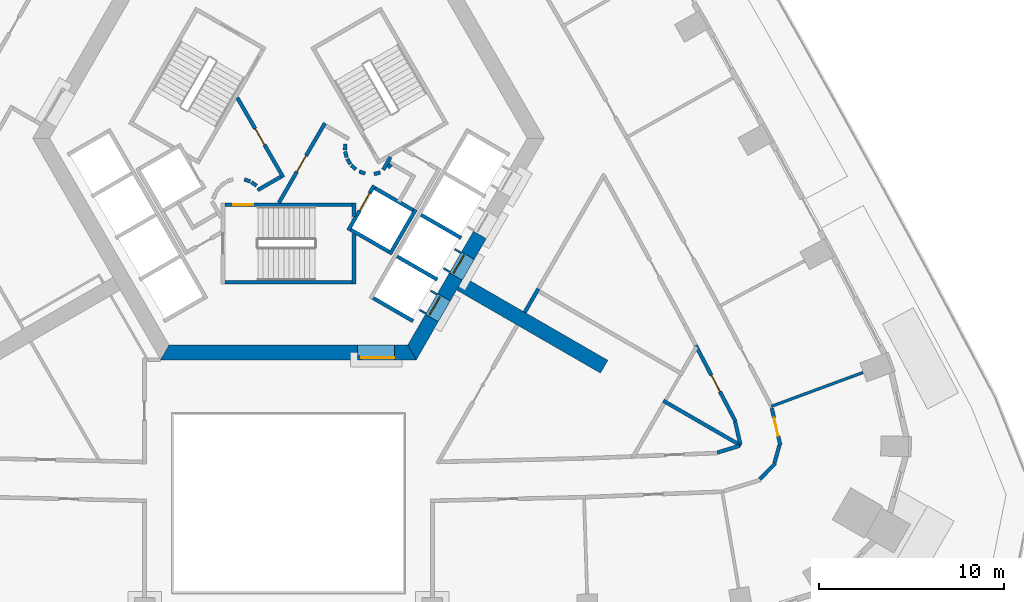
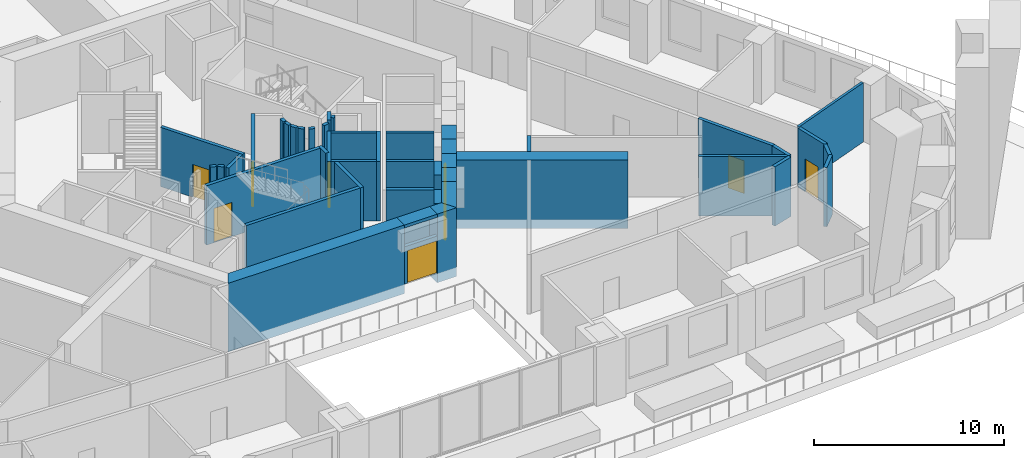
# One storey, part 7 of 16: 45 walls, 9 doors, 9 openings.
"""IFC4 building model written with IfcOpenShell, lengths in metres."""

from ifc_helpers import new_model, si_unit, direction, frame, frame_2d, origin, place, context, subcontext, project, spatial, polyline, rectangle, outline, extrude, material, layer, layer_set, type_object, element, fill, save


model = new_model("IFC4")

# Units and contexts
model_context = context("Model", 3, precision=1e-05, world=origin(), true_north=direction((0.0, 1.0)))
body_context = subcontext(model_context, "Body", "Model", "MODEL_VIEW")
ifc_project = project(units=[si_unit("LENGTHUNIT", "METRE"), si_unit("AREAUNIT", "SQUARE_METRE"), si_unit("VOLUMEUNIT", "CUBIC_METRE"), si_unit("PLANEANGLEUNIT", "RADIAN"), si_unit("MASSUNIT", "GRAM", prefix="KILO")], contexts=[model_context])

# Site, building, storey
site_placement = place(None, origin())
site = spatial("IfcSite", under=ifc_project, at=site_placement, CompositionType="ELEMENT")
building_placement = place(site_placement, origin())
building = spatial("IfcBuilding", under=site, at=building_placement, Name="Entoto Arch Interchange Tower", CompositionType="ELEMENT")
storey_placement = place(building_placement, frame((0.0, 0.0, 138.199951171875)))
storey = spatial("IfcBuildingStorey", under=building, at=storey_placement, Name="L30", CompositionType="ELEMENT", Elevation=138.199951171875)

# Wall
ifc_material_1 = material(Name="Concrete C50/60", Category="concrete")
ifc_layer_1 = layer(ifc_material_1, 0.800048828125)
ifc_layer_set_1 = layer_set([ifc_layer_1], Name="Concrete C50/60")
wall_type_1 = type_object("IfcWallType", Name="Buttress wall 800 C50/60", PredefinedType="SHEAR", material=ifc_layer_set_1)
wall_1_placement = place(storey_placement, frame((9.31005859375, -5.375, -0.599853515625), z_axis=(0.0, 0.0, 1.0), x_axis=(0.866017533419, -0.500013631625, 0.0)))
element("IfcWall", 1, at=wall_1_placement, inside=storey, type_object=wall_type_1, Name="Buttress wall SE L30", PredefinedType="SHEAR", context=body_context, shape_type="SweptSolid", body=[
    extrude(rectangle(XDim=8.999755859375, YDim=0.800048828125, at=frame_2d((4.5, 0.0))), origin(), (0.0, 0.0, 1.0), 4.39990234375),
])

# Wall, opening, door
ifc_material_2 = material(Name="Reinforced concrete C40/50", Category="concrete")
ifc_layer_2 = layer(ifc_material_2, 0.199951171875)
ifc_layer_set_2 = layer_set([ifc_layer_2], Name="Reinforced concrete C40/50")
wall_type_2 = type_object("IfcWallType", Name="CORE GAP INFILL WALL", PredefinedType="PARTITIONING", material=ifc_layer_set_2)
wall_2_placement = place(storey_placement, frame((3.75, -9.39990234375, 0.0), z_axis=(0.0, 0.0, 1.0), x_axis=(1.0, 0.0, 0.0)))
wall_2 = element("IfcWall", 2, at=wall_2_placement, inside=storey, type_object=wall_type_2, Name="wall:L30:gap1", PredefinedType="PARTITIONING", context=body_context, shape_type="SweptSolid", body=[
    extrude(rectangle(XDim=2.0, YDim=0.199951171875, at=frame_2d((1.0, 0.0))), origin(), (0.0, 0.0, 1.0), 2.400146484375),
])
opening_1_placement = place(wall_2_placement, frame((0.18994140625, 0.0, 0.0)))
opening_1 = element("IfcOpeningElement", 3, at=opening_1_placement, cuts=wall_2, Name="Opening L30-D91", PredefinedType="OPENING", context=body_context, shape_type="SweptSolid", body=[
    extrude(rectangle(XDim=1.800048828125, YDim=2.10009765625, at=frame_2d((0.89990234375, 1.050048828125))), frame((0.0, 0.10986328125, 0.0), z_axis=(0.0, -1.0, 0.0), x_axis=(1.0, 0.0, 0.0)), (0.0, 0.0, 1.0), 0.219970703125),
])
ifc_material_3 = material(Name="Fire-rated Steel S235 door and frame", Category="steel")
door_type_1 = type_object("IfcDoorType", Name="DOOR FD-18 1800x2100", OperationType="DOUBLE_DOOR_SINGLE_SWING", PredefinedType="DOOR", material=ifc_material_3)
door_1_placement = place(opening_1_placement, origin())
door_1 = element("IfcDoor", 4, at=door_1_placement, inside=storey, type_object=door_type_1, Name="door:L30:gap1", OperationType="DOUBLE_DOOR_SINGLE_SWING", OverallHeight=2.10009765625, OverallWidth=1.800048828125, PredefinedType="DOOR", context=body_context, shape_type="SweptSolid", body=[
    extrude(rectangle(XDim=1.800048828125, YDim=2.10009765625, at=frame_2d((0.89990234375, 1.050048828125))), frame((0.0, 0.02490234375, 0.0), z_axis=(0.0, -1.0, 0.0), x_axis=(1.0, 0.0, 0.0)), (0.0, 0.0, 1.0), 0.050048828125),
])
fill(opening_1, door_1)

# Walls
ifc_layer_3 = layer(ifc_material_1, 0.800048828125)
ifc_layer_set_3 = layer_set([ifc_layer_3], Name="Concrete C50/60")
wall_type_3 = type_object("IfcWallType", Name="Core wall 800 C50/60", PredefinedType="SHEAR", material=ifc_layer_set_3)
wall_3_placement = place(storey_placement, frame((0.0, 0.0, -0.599853515625)))
element("IfcWall", 5, at=wall_3_placement, inside=storey, type_object=wall_type_3, Name="Core wall S L30", PredefinedType="SHEAR", context=body_context, shape_type="SweptSolid", body=[
    extrude(outline(polyline([(3.75, -9.5), (3.75, -8.699951171875), (-6.466064453125, -8.699951171875), (-6.927978515625, -9.5), (3.75, -9.5)])), origin(), (0.0, 0.0, 1.0), 4.39990234375),
])
wall_4_placement = place(storey_placement, frame((0.0, 0.0, -0.599853515625)))
element("IfcWall", 6, at=wall_4_placement, inside=storey, type_object=wall_type_3, Name="Core wall S L30", PredefinedType="SHEAR", context=body_context, shape_type="SweptSolid", body=[
    extrude(outline(polyline([(5.75, -8.699951171875), (5.75, -9.5), (6.927978515625, -9.5), (6.466064453125, -8.699951171875), (5.75, -8.699951171875)])), origin(), (0.0, 0.0, 1.0), 4.39990234375),
])
wall_5_placement = place(storey_placement, frame((0.0, 0.0, 3.60009765625)))
element("IfcWall", 7, at=wall_5_placement, inside=storey, type_object=wall_type_3, Name="Core wall lintel S L30", PredefinedType="SHEAR", context=body_context, shape_type="SweptSolid", body=[
    extrude(outline(polyline([(5.75, -9.5), (5.75, -8.699951171875), (3.75, -8.699951171875), (3.75, -9.5), (5.75, -9.5)])), origin(), (0.0, 0.0, 1.0), 0.199951171875),
])
wall_6_placement = place(storey_placement, frame((0.0, 0.0, -0.599853515625)))
element("IfcWall", 8, at=wall_6_placement, inside=storey, type_object=wall_type_3, Name="Core wall SE L30", PredefinedType="SHEAR", context=body_context, shape_type="SweptSolid", body=[
    extrude(outline(polyline([(8.116943359375, -7.43994140625), (7.424072265625, -7.0400390625), (6.466064453125, -8.699951171875), (6.927978515625, -9.5), (8.116943359375, -7.43994140625)])), origin(), (0.0, 0.0, 1.0), 4.39990234375),
])
wall_7_placement = place(storey_placement, frame((0.0, 0.0, -0.599853515625)))
element("IfcWall", 9, at=wall_7_placement, inside=storey, type_object=wall_type_3, Name="Core wall SE L30", PredefinedType="SHEAR", context=body_context, shape_type="SweptSolid", body=[
    extrude(outline(polyline([(9.4169921875, -5.18896484375), (8.72412109375, -4.7890625), (8.074951171875, -5.9140625), (8.76708984375, -6.31396484375), (9.4169921875, -5.18896484375)])), origin(), (0.0, 0.0, 1.0), 4.39990234375),
])
wall_8_placement = place(storey_placement, frame((0.0, 0.0, -0.599853515625)))
element("IfcWall", 10, at=wall_8_placement, inside=storey, type_object=wall_type_3, Name="Core wall SE L30", PredefinedType="SHEAR", context=body_context, shape_type="SweptSolid", body=[
    extrude(outline(polyline([(10.717041015625, -2.93701171875), (10.02490234375, -2.537109375), (9.3740234375, -3.6630859375), (10.06689453125, -4.06298828125), (10.717041015625, -2.93701171875)])), origin(), (0.0, 0.0, 1.0), 4.39990234375),
])
wall_9_placement = place(storey_placement, frame((0.0, 0.0, 3.60009765625)))
element("IfcWall", 11, at=wall_9_placement, inside=storey, type_object=wall_type_3, Name="Core wall lintel SE L30", PredefinedType="SHEAR", context=body_context, shape_type="SweptSolid", body=[
    extrude(outline(polyline([(8.76708984375, -6.31396484375), (8.074951171875, -5.9140625), (7.424072265625, -7.0400390625), (8.116943359375, -7.43994140625), (8.76708984375, -6.31396484375)])), origin(), (0.0, 0.0, 1.0), 0.199951171875),
])
wall_10_placement = place(storey_placement, frame((0.0, 0.0, 3.60009765625)))
element("IfcWall", 12, at=wall_10_placement, inside=storey, type_object=wall_type_3, Name="Core wall lintel SE L30", PredefinedType="SHEAR", context=body_context, shape_type="SweptSolid", body=[
    extrude(outline(polyline([(10.06689453125, -4.06298828125), (9.3740234375, -3.6630859375), (8.72412109375, -4.7890625), (9.4169921875, -5.18896484375), (10.06689453125, -4.06298828125)])), origin(), (0.0, 0.0, 1.0), 0.199951171875),
])

# Wall, opening, door
ifc_material_4 = material(Name="Concrete C40/50", Category="concrete")
ifc_layer_4 = layer(ifc_material_4, 1.199951171875)
ifc_layer_set_4 = layer_set([ifc_layer_4], Name="Concrete C40/50")
wall_type_4 = type_object("IfcWallType", Name="LIFT LANDING INFILL WALL", PredefinedType="STANDARD", material=ifc_layer_set_4)
wall_11_placement = place(storey_placement, frame((7.597900390625, -7.139892578125, 0.0), z_axis=(0.0, 0.0, 1.0), x_axis=(0.500362116554, 0.865816234728, 0.0)))
wall_11 = element("IfcWall", 13, at=wall_11_placement, inside=storey, type_object=wall_type_4, Name="Lift landing infill wall LR5 L30", PredefinedType="STANDARD", context=body_context, shape_type="SweptSolid", body=[
    extrude(rectangle(XDim=1.29931640625, YDim=1.199951171875, at=frame_2d((0.649658203125, 0.0))), origin(), (0.0, 0.0, 1.0), 2.400146484375),
])
opening_2_placement = place(wall_11_placement, frame((0.10009765625, 0.0, 0.0)))
opening_2 = element("IfcOpeningElement", 14, at=opening_2_placement, cuts=wall_11, Name="Opening LD-LR5-L30", PredefinedType="OPENING", context=body_context, shape_type="SweptSolid", body=[
    extrude(rectangle(XDim=1.10009765625, YDim=2.300048828125, at=frame_2d((0.550048828125, 1.14990234375))), frame((0.0, 0.60986328125, 0.0), z_axis=(0.0, -1.0, 0.0), x_axis=(1.0, 0.0, 0.0)), (0.0, 0.0, 1.0), 1.219970703125),
])
ifc_material_5 = material(Name="Stainless steel 1.4301 panels", Category="steel")
door_type_2 = type_object("IfcDoorType", Name="LIFT LANDING DOOR LD2 1100x2300", OperationType="SLIDING_TO_LEFT", PredefinedType="DOOR", material=ifc_material_5)
door_2_placement = place(opening_2_placement, origin())
door_2 = element("IfcDoor", 15, at=door_2_placement, inside=storey, type_object=door_type_2, Name="Lift landing door LR5 L30", OperationType="SLIDING_TO_LEFT", OverallHeight=2.300048828125, OverallWidth=1.10009765625, PredefinedType="DOOR", context=body_context, shape_type="SweptSolid", body=[
    extrude(rectangle(XDim=1.10009765625, YDim=2.300048828125, at=frame_2d((0.550048828125, 1.14990234375))), frame((0.0, 0.02490234375, 0.0), z_axis=(0.0, -1.0, 0.0), x_axis=(1.0, 0.0, 0.0)), (0.0, 0.0, 1.0), 0.050048828125),
])
fill(opening_2, door_2)

wall_12_placement = place(storey_placement, frame((8.89794921875, -4.888916015625, 0.0), z_axis=(0.0, 0.0, 1.0), x_axis=(0.500036693733, 0.866004217611, 0.0)))
wall_12 = element("IfcWall", 16, at=wall_12_placement, inside=storey, type_object=wall_type_4, Name="Lift landing infill wall LR6 L30", PredefinedType="STANDARD", context=body_context, shape_type="SweptSolid", body=[
    extrude(rectangle(XDim=1.30029296875, YDim=1.199951171875, at=frame_2d((0.650146484375, 0.0))), origin(), (0.0, 0.0, 1.0), 2.400146484375),
])
opening_3_placement = place(wall_12_placement, frame((0.10009765625, 0.0, 0.0)))
opening_3 = element("IfcOpeningElement", 17, at=opening_3_placement, cuts=wall_12, Name="Opening LD-LR6-L30", PredefinedType="OPENING", context=body_context, shape_type="SweptSolid", body=[
    extrude(rectangle(XDim=1.10009765625, YDim=2.300048828125, at=frame_2d((0.550048828125, 1.14990234375))), frame((0.0, 0.60986328125, 0.0), z_axis=(0.0, -1.0, 0.0), x_axis=(1.0, 0.0, 0.0)), (0.0, 0.0, 1.0), 1.219970703125),
])
door_3_placement = place(opening_3_placement, origin())
door_3 = element("IfcDoor", 18, at=door_3_placement, inside=storey, type_object=door_type_2, Name="Lift landing door LR6 L30", OperationType="SLIDING_TO_LEFT", OverallHeight=2.300048828125, OverallWidth=1.10009765625, PredefinedType="DOOR", context=body_context, shape_type="SweptSolid", body=[
    extrude(rectangle(XDim=1.10009765625, YDim=2.300048828125, at=frame_2d((0.550048828125, 1.14990234375))), frame((0.0, 0.02490234375, 0.0), z_axis=(0.0, -1.0, 0.0), x_axis=(1.0, 0.0, 0.0)), (0.0, 0.0, 1.0), 0.050048828125),
])
fill(opening_3, door_3)

ifc_layer_5 = layer(ifc_material_4, 0.199951171875)
ifc_layer_set_5 = layer_set([ifc_layer_5], Name="Concrete C40/50")
wall_type_5 = type_object("IfcWallType", Name="LIFT SHAFT WALL 200", PredefinedType="STANDARD", material=ifc_layer_set_5)
wall_13_placement = place(storey_placement, frame((3.239990234375, -2.488037109375, 0.0), z_axis=(0.0, 0.0, 1.0), x_axis=(0.49994636267, 0.866056369097, 0.0)))
wall_13 = element("IfcWall", 19, at=wall_13_placement, inside=storey, type_object=wall_type_5, Name="Shaft wall SE1 front", PredefinedType="STANDARD", context=body_context, shape_type="SweptSolid", body=[
    extrude(rectangle(XDim=2.800048828125, YDim=0.199951171875, at=frame_2d((1.39990234375, 0.0))), origin(), (0.0, 0.0, 1.0), 3.800048828125),
])
opening_4_placement = place(wall_13_placement, frame((1.22509765625, 0.0, 0.0)))
opening_4 = element("IfcOpeningElement", 20, at=opening_4_placement, cuts=wall_13, Name="Opening LD-FF1-L30", PredefinedType="OPENING", context=body_context, shape_type="SweptSolid", body=[
    extrude(rectangle(XDim=1.10009765625, YDim=2.10009765625, at=frame_2d((0.550048828125, 1.050048828125))), frame((0.0, 0.10986328125, 0.0), z_axis=(0.0, -1.0, 0.0), x_axis=(1.0, 0.0, 0.0)), (0.0, 0.0, 1.0), 0.219970703125),
])
door_type_3 = type_object("IfcDoorType", Name="LIFT LANDING DOOR LD1 1100x2100", OperationType="SLIDING_TO_LEFT", PredefinedType="DOOR", material=ifc_material_5)
door_4_placement = place(opening_4_placement, origin())
door_4 = element("IfcDoor", 21, at=door_4_placement, inside=storey, type_object=door_type_3, Name="Lift landing door FF1 L30", OperationType="SLIDING_TO_LEFT", OverallHeight=2.10009765625, OverallWidth=1.10009765625, PredefinedType="DOOR", context=body_context, shape_type="SweptSolid", body=[
    extrude(rectangle(XDim=1.10009765625, YDim=2.10009765625, at=frame_2d((0.550048828125, 1.050048828125))), frame((0.0, 0.02490234375, 0.0), z_axis=(0.0, -1.0, 0.0), x_axis=(1.0, 0.0, 0.0)), (0.0, 0.0, 1.0), 0.050048828125),
])
fill(opening_4, door_4)

# Walls
wall_14_placement = place(storey_placement, frame((5.491943359375, -3.7880859375, 0.0), z_axis=(0.0, 0.0, 1.0), x_axis=(0.500011755427, 0.866018616679, 0.0)))
element("IfcWall", 22, at=wall_14_placement, inside=storey, type_object=wall_type_5, Name="Shaft wall SE1 back", PredefinedType="STANDARD", context=body_context, shape_type="SweptSolid", body=[
    extrude(rectangle(XDim=2.80029296875, YDim=0.199951171875, at=frame_2d((1.400146484375, 0.0))), origin(), (0.0, 0.0, 1.0), 3.800048828125),
])
wall_15_placement = place(storey_placement, frame((3.376953125, -2.451904296875, 0.0), z_axis=(0.0, 0.0, 1.0), x_axis=(0.865955154139, -0.50012165622, 0.0)))
element("IfcWall", 23, at=wall_15_placement, inside=storey, type_object=wall_type_5, Name="Shaft wall SE1 cross 1", PredefinedType="STANDARD", context=body_context, shape_type="SweptSolid", body=[
    extrude(rectangle(XDim=2.39990234375, YDim=0.199951171875, at=frame_2d((1.199951171875, 0.0))), origin(), (0.0, 0.0, 1.0), 3.800048828125),
])
wall_16_placement = place(storey_placement, frame((4.677001953125, -0.199951171875, 0.0), z_axis=(0.0, 0.0, 1.0), x_axis=(0.865973769406, -0.500089422704, 0.0)))
element("IfcWall", 24, at=wall_16_placement, inside=storey, type_object=wall_type_5, Name="Shaft wall SE1 cross 2", PredefinedType="STANDARD", context=body_context, shape_type="SweptSolid", body=[
    extrude(rectangle(XDim=2.3994140625, YDim=0.199951171875, at=frame_2d((1.19970703125, 0.0))), origin(), (0.0, 0.0, 1.0), 3.800048828125),
])
for number, where, z_axis, x_axis, name in (
    (25, (4.587890625, -6.153076171875, 0.0), (0.0, 0.0, 1.0), (0.866022959057, -0.500004234368, 0.0), "Shaft wall SE3 cross 1"),
    (26, (5.887939453125, -3.902099609375, 0.0), (0.0, 0.0, 1.0), (0.866022959057, -0.500004234368, 0.0), "Shaft wall SE3 cross 2"),
    (27, (7.18798828125, -1.64990234375, 0.0), (0.0, 0.0, 1.0), (0.866022959057, -0.500004234368, 0.0), "Shaft wall SE3 cross 3"),
):
    element("IfcWall", number, at=place(storey_placement, frame(where, z_axis=z_axis, x_axis=x_axis)), inside=storey, type_object=wall_type_5, Name=name, PredefinedType="STANDARD", context=body_context, shape_type="SweptSolid", body=[
        extrude(rectangle(XDim=2.5, YDim=0.199951171875, at=frame_2d((1.25, 0.0))), origin(), (0.0, 0.0, 1.0), 3.800048828125),
    ])
ifc_material_6 = material(Name="Gypsum board partition on steel studs", Category="steel")
ifc_layer_6 = layer(ifc_material_6, 0.14990234375)
ifc_layer_set_6 = layer_set([ifc_layer_6], Name="Gypsum board partition on steel studs")
wall_type_6 = type_object("IfcWallType", Name="PARTITION 150", PredefinedType="PARTITIONING", material=ifc_layer_set_6)
wall_17_placement = place(storey_placement, frame((26.1640625, -12.02294921875, 0.0), z_axis=(0.0, 0.0, 1.0), x_axis=(0.937995804261, 0.346646608505, 0.0)))
element("IfcWall", 28, at=wall_17_placement, inside=storey, type_object=wall_type_6, Name="wall:L30:p125", PredefinedType="PARTITIONING", context=body_context, shape_type="SweptSolid", body=[
    extrude(rectangle(XDim=5.287841796875, YDim=0.14990234375, at=frame_2d((2.64404296875, 0.0))), origin(), (0.0, 0.0, 1.0), 3.800048828125),
])
ifc_layer_7 = layer(ifc_material_6, 0.199951171875)
ifc_layer_set_7 = layer_set([ifc_layer_7], Name="Gypsum board partition on steel studs")
wall_type_7 = type_object("IfcWallType", Name="PARTITION 200", PredefinedType="PARTITIONING", material=ifc_layer_set_7)
wall_18_placement = place(storey_placement, frame((23.238037109375, -14.529052734375, 0.0), z_axis=(0.0, 0.0, 1.0), x_axis=(0.956086269468, 0.293085389152, 0.0)))
element("IfcWall", 29, at=wall_18_placement, inside=storey, type_object=wall_type_7, Name="wall:L30:p019", PredefinedType="PARTITIONING", context=body_context, shape_type="SweptSolid", body=[
    extrude(rectangle(XDim=1.251953125, YDim=0.199951171875, at=frame_2d((0.6259765625, 0.0))), origin(), (0.0, 0.0, 1.0), 3.800048828125),
])
wall_19_placement = place(storey_placement, frame((24.48193359375, -14.0810546875, 0.0), z_axis=(0.0, 0.0, 1.0), x_axis=(-0.223967203961, 0.974596681479, 0.0)))
element("IfcWall", 30, at=wall_19_placement, inside=storey, type_object=wall_type_7, Name="wall:L30:p020", PredefinedType="PARTITIONING", context=body_context, shape_type="SweptSolid", body=[
    extrude(rectangle(XDim=1.259033203125, YDim=0.199951171875, at=frame_2d((0.62939453125, 0.0))), origin(), (0.0, 0.0, 1.0), 3.800048828125),
])

# Wall, opening, door
wall_20_placement = place(storey_placement, frame((24.22412109375, -12.844970703125, 0.0), z_axis=(0.0, 0.0, 1.0), x_axis=(-0.463819025987, 0.885929969655, 0.0)))
wall_20 = element("IfcWall", 31, at=wall_20_placement, inside=storey, type_object=wall_type_7, Name="wall:L30:p021", PredefinedType="PARTITIONING", context=body_context, shape_type="SweptSolid", body=[
    extrude(rectangle(XDim=4.659423828125, YDim=0.199951171875, at=frame_2d((2.32958984375, 0.0))), origin(), (0.0, 0.0, 1.0), 3.800048828125),
])
opening_5_placement = place(wall_20_placement, frame((1.830078125, 0.0, 0.0)))
opening_5 = element("IfcOpeningElement", 32, at=opening_5_placement, cuts=wall_20, Name="Opening L30-D22", PredefinedType="OPENING", context=body_context, shape_type="SweptSolid", body=[
    extrude(rectangle(XDim=1.0, YDim=2.10009765625, at=frame_2d((0.5, 1.050048828125))), frame((0.0, 0.10986328125, 0.0), z_axis=(0.0, -1.0, 0.0), x_axis=(1.0, 0.0, 0.0)), (0.0, 0.0, 1.0), 0.219970703125),
])
ifc_material_7 = material(Name="Timber door leaf in Steel S235 frame", Category="steel")
door_type_4 = type_object("IfcDoorType", Name="DOOR DS-10 1000x2100", OperationType="SINGLE_SWING_LEFT", PredefinedType="DOOR", material=ifc_material_7)
door_5_placement = place(opening_5_placement, origin())
door_5 = element("IfcDoor", 33, at=door_5_placement, inside=storey, type_object=door_type_4, Name="door:L30:22", OperationType="SINGLE_SWING_LEFT", OverallHeight=2.10009765625, OverallWidth=1.0, PredefinedType="DOOR", context=body_context, shape_type="SweptSolid", body=[
    extrude(rectangle(XDim=1.0, YDim=2.10009765625, at=frame_2d((0.5, 1.050048828125))), frame((0.0, 0.02490234375, 0.0), z_axis=(0.0, -1.0, 0.0), x_axis=(1.0, 0.0, 0.0)), (0.0, 0.0, 1.0), 0.050048828125),
])
fill(opening_5, door_5)

wall_21_placement = place(storey_placement, frame((26.18603515625, -12.1201171875, 0.0), z_axis=(0.0, 0.0, 1.0), x_axis=(0.224108401048, -0.974564222912, 0.0)))
wall_21 = element("IfcWall", 34, at=wall_21_placement, inside=storey, type_object=wall_type_7, Name="wall:L30:p034", PredefinedType="PARTITIONING", context=body_context, shape_type="SweptSolid", body=[
    extrude(rectangle(XDim=2.0654296875, YDim=0.199951171875, at=frame_2d((1.03271484375, 0.0))), origin(), (0.0, 0.0, 1.0), 3.800048828125),
])
opening_6_placement = place(wall_21_placement, frame((0.532958984375, 0.0, 0.0)))
opening_6 = element("IfcOpeningElement", 35, at=opening_6_placement, cuts=wall_21, Name="Opening L30-D03", PredefinedType="OPENING", context=body_context, shape_type="SweptSolid", body=[
    extrude(rectangle(XDim=1.0, YDim=2.10009765625, at=frame_2d((0.5, 1.050048828125))), frame((0.0, 0.10986328125, 0.0), z_axis=(0.0, -1.0, 0.0), x_axis=(1.0, 0.0, 0.0)), (0.0, 0.0, 1.0), 0.219970703125),
])
door_6_placement = place(opening_6_placement, origin())
door_6 = element("IfcDoor", 36, at=door_6_placement, inside=storey, type_object=door_type_4, Name="door:L30:03", OperationType="SINGLE_SWING_LEFT", OverallHeight=2.10009765625, OverallWidth=1.0, PredefinedType="DOOR", context=body_context, shape_type="SweptSolid", body=[
    extrude(rectangle(XDim=1.0, YDim=2.10009765625, at=frame_2d((0.5, 1.050048828125))), frame((0.0, 0.02490234375, 0.0), z_axis=(0.0, -1.0, 0.0), x_axis=(1.0, 0.0, 0.0)), (0.0, 0.0, 1.0), 0.050048828125),
])
fill(opening_6, door_6)

# Walls
wall_22_placement = place(storey_placement, frame((26.59912109375, -14.132080078125, 0.0), z_axis=(0.0, 0.0, 1.0), x_axis=(-0.270631784819, -0.962682936925, 0.0)))
element("IfcWall", 37, at=wall_22_placement, inside=storey, type_object=wall_type_7, Name="wall:L30:p035", PredefinedType="PARTITIONING", context=body_context, shape_type="SweptSolid", body=[
    extrude(rectangle(XDim=0.994140625, YDim=0.199951171875, at=frame_2d((0.4970703125, 0.0))), origin(), (0.0, 0.0, 1.0), 3.800048828125),
])
wall_23_placement = place(storey_placement, frame((26.373046875, -15.114013671875, 0.0), z_axis=(0.0, 0.0, 1.0), x_axis=(-0.698272822523, -0.715831729756, 0.0)))
element("IfcWall", 38, at=wall_23_placement, inside=storey, type_object=wall_type_7, Name="wall:L30:p036", PredefinedType="PARTITIONING", context=body_context, shape_type="SweptSolid", body=[
    extrude(rectangle(XDim=1.19580078125, YDim=0.199951171875, at=frame_2d((0.597900390625, 0.0))), origin(), (0.0, 0.0, 1.0), 3.800048828125),
])
wall_24_placement = place(storey_placement, frame((5.389892578125, 0.89794921875, 0.0), z_axis=(0.0, 0.0, 1.0), x_axis=(0.673828488714, 0.738887791073, 0.0)))
element("IfcWall", 39, at=wall_24_placement, inside=storey, type_object=wall_type_7, Name="wall:L30:p074", PredefinedType="PARTITIONING", context=body_context, shape_type="SweptSolid", body=[
    extrude(rectangle(XDim=0.2626953125, YDim=0.199951171875, at=frame_2d((0.13134765625, 0.0))), origin(), (0.0, 0.0, 1.0), 3.800048828125),
])
wall_25_placement = place(storey_placement, frame((5.135009765625, 0.79296875, 0.0), z_axis=(0.0, 0.0, 1.0), x_axis=(0.499526442893, 0.866298639529, 0.0)))
element("IfcWall", 40, at=wall_25_placement, inside=storey, type_object=wall_type_7, Name="wall:L30:p079", PredefinedType="PARTITIONING", context=body_context, shape_type="SweptSolid", body=[
    extrude(rectangle(XDim=0.790771484375, YDim=0.199951171875, at=frame_2d((0.3955078125, 0.0))), origin(), (0.0, 0.0, 1.0), 3.800048828125),
])

# Wall, opening, door
wall_26_placement = place(storey_placement, frame((-0.52001953125, -1.0, 0.0), z_axis=(0.0, 0.0, 1.0), x_axis=(0.50011622646, 0.865958290007, 0.0)))
wall_26 = element("IfcWall", 41, at=wall_26_placement, inside=storey, type_object=wall_type_7, Name="wall:L30:p087", PredefinedType="PARTITIONING", context=body_context, shape_type="SweptSolid", body=[
    extrude(rectangle(XDim=4.990966796875, YDim=0.199951171875, at=frame_2d((2.49560546875, 0.0))), origin(), (0.0, 0.0, 1.0), 3.800048828125),
])
opening_7_placement = place(wall_26_placement, frame((1.945068359375, 0.0, 0.0)))
opening_7 = element("IfcOpeningElement", 42, at=opening_7_placement, cuts=wall_26, Name="Opening L30-D31", PredefinedType="OPENING", context=body_context, shape_type="SweptSolid", body=[
    extrude(rectangle(XDim=1.0, YDim=2.10009765625, at=frame_2d((0.5, 1.050048828125))), frame((0.0, 0.10986328125, 0.0), z_axis=(0.0, -1.0, 0.0), x_axis=(1.0, 0.0, 0.0)), (0.0, 0.0, 1.0), 0.219970703125),
])
door_type_5 = type_object("IfcDoorType", Name="DOOR FD-10 1000x2100", OperationType="SINGLE_SWING_LEFT", PredefinedType="DOOR", material=ifc_material_3)
door_7_placement = place(opening_7_placement, origin())
door_7 = element("IfcDoor", 43, at=door_7_placement, inside=storey, type_object=door_type_5, Name="door:L30:31", OperationType="SINGLE_SWING_LEFT", OverallHeight=2.10009765625, OverallWidth=1.0, PredefinedType="DOOR", context=body_context, shape_type="SweptSolid", body=[
    extrude(rectangle(XDim=1.0, YDim=2.10009765625, at=frame_2d((0.5, 1.050048828125))), frame((0.0, 0.02490234375, 0.0), z_axis=(0.0, -1.0, 0.0), x_axis=(1.0, 0.0, 0.0)), (0.0, 0.0, 1.0), 0.050048828125),
])
fill(opening_7, door_7)

# Walls
wall_27_placement = place(storey_placement, frame((3.0791015625, 2.198974609375, 0.0), z_axis=(0.0, 0.0, 1.0), x_axis=(-0.047771483479, -0.998858290933, 0.0)))
element("IfcWall", 44, at=wall_27_placement, inside=storey, type_object=wall_type_7, Name="wall:L30:p089", PredefinedType="PARTITIONING", context=body_context, shape_type="SweptSolid", body=[
    extrude(rectangle(XDim=0.33740234375, YDim=0.199951171875, at=frame_2d((0.168701171875, 0.0))), origin(), (0.0, 0.0, 1.0), 3.800048828125),
])
wall_28_placement = place(storey_placement, frame((3.070068359375, 1.785888671875, 0.0), z_axis=(0.0, 0.0, 1.0), x_axis=(0.242705583207, -0.970099994784, 0.0)))
element("IfcWall", 45, at=wall_28_placement, inside=storey, type_object=wall_type_7, Name="wall:L30:p090", PredefinedType="PARTITIONING", context=body_context, shape_type="SweptSolid", body=[
    extrude(rectangle(XDim=0.337890625, YDim=0.199951171875, at=frame_2d((0.1689453125, 0.0))), origin(), (0.0, 0.0, 1.0), 3.800048828125),
])
for number, where, z_axis, x_axis, name in (
    (46, (3.181884765625, 1.387939453125, 0.0), (0.0, 0.0, 1.0), (0.512474702713, -0.85870232274, 0.0), "wall:L30:p091"),
    (47, (3.404052734375, 1.0390625, 0.0), (0.0, 0.0, 1.0), (0.740267097712, -0.672312891476, 0.0), "wall:L30:p092"),
):
    element("IfcWall", number, at=place(storey_placement, frame(where, z_axis=z_axis, x_axis=x_axis)), inside=storey, type_object=wall_type_7, Name=name, PredefinedType="PARTITIONING", context=body_context, shape_type="SweptSolid", body=[
        extrude(rectangle(XDim=0.337646484375, YDim=0.199951171875, at=frame_2d((0.1689453125, 0.0))), origin(), (0.0, 0.0, 1.0), 3.800048828125),
    ])
wall_29_placement = place(storey_placement, frame((3.837890625, 0.701904296875, 0.0), z_axis=(0.0, 0.0, 1.0), x_axis=(0.941035081519, -0.338308993895, 0.0)))
element("IfcWall", 48, at=wall_29_placement, inside=storey, type_object=wall_type_7, Name="wall:L30:p093", PredefinedType="PARTITIONING", context=body_context, shape_type="SweptSolid", body=[
    extrude(rectangle(XDim=0.3369140625, YDim=0.199951171875, at=frame_2d((0.16845703125, 0.0))), origin(), (0.0, 0.0, 1.0), 3.800048828125),
])
wall_30_placement = place(storey_placement, frame((4.64404296875, 0.56396484375, 0.0), z_axis=(0.0, 0.0, 1.0), x_axis=(0.969929076366, 0.243387729394, 0.0)))
element("IfcWall", 49, at=wall_30_placement, inside=storey, type_object=wall_type_7, Name="wall:L30:p094", PredefinedType="PARTITIONING", context=body_context, shape_type="SweptSolid", body=[
    extrude(rectangle(XDim=0.337158203125, YDim=0.199951171875, at=frame_2d((0.16845703125, 0.0))), origin(), (0.0, 0.0, 1.0), 3.800048828125),
])

# Wall, opening, door
wall_31_placement = place(storey_placement, frame((-2.77099609375, 4.699951171875, 0.0), z_axis=(0.0, 0.0, 1.0), x_axis=(0.499969479948, -0.866043023828, 0.0)))
wall_31 = element("IfcWall", 50, at=wall_31_placement, inside=storey, type_object=wall_type_7, Name="wall:L30:p095", PredefinedType="PARTITIONING", context=body_context, shape_type="SweptSolid", body=[
    extrude(rectangle(XDim=4.990478515625, YDim=0.199951171875, at=frame_2d((2.4951171875, 0.0))), origin(), (0.0, 0.0, 1.0), 3.800048828125),
])
opening_8_placement = place(wall_31_placement, frame((1.945068359375, 0.0, 0.0)))
opening_8 = element("IfcOpeningElement", 51, at=opening_8_placement, cuts=wall_31, Name="Opening L30-D32", PredefinedType="OPENING", context=body_context, shape_type="SweptSolid", body=[
    extrude(rectangle(XDim=1.0, YDim=2.10009765625, at=frame_2d((0.5, 1.050048828125))), frame((0.0, 0.10986328125, 0.0), z_axis=(0.0, -1.0, 0.0), x_axis=(1.0, 0.0, 0.0)), (0.0, 0.0, 1.0), 0.219970703125),
])
door_8_placement = place(opening_8_placement, origin())
door_8 = element("IfcDoor", 52, at=door_8_placement, inside=storey, type_object=door_type_5, Name="door:L30:32", OperationType="SINGLE_SWING_RIGHT", OverallHeight=2.10009765625, OverallWidth=1.0, PredefinedType="DOOR", context=body_context, shape_type="SweptSolid", body=[
    extrude(rectangle(XDim=1.0, YDim=2.10009765625, at=frame_2d((0.5, 1.050048828125))), frame((0.0, 0.02490234375, 0.0), z_axis=(0.0, -1.0, 0.0), x_axis=(1.0, 0.0, 0.0)), (0.0, 0.0, 1.0), 0.050048828125),
])
fill(opening_8, door_8)

# Walls
wall_32_placement = place(storey_placement, frame((-0.412109375, 0.4140625, 0.0), z_axis=(0.0, 0.0, 1.0), x_axis=(-0.866017369001, -0.500013916395, 0.0)))
element("IfcWall", 53, at=wall_32_placement, inside=storey, type_object=wall_type_7, Name="wall:L30:p096", PredefinedType="PARTITIONING", context=body_context, shape_type="SweptSolid", body=[
    extrude(rectangle(XDim=1.4501953125, YDim=0.199951171875, at=frame_2d((0.72509765625, 0.0))), origin(), (0.0, 0.0, 1.0), 3.800048828125),
])
wall_33_placement = place(storey_placement, frame((-1.73095703125, -0.076904296875, 0.0), z_axis=(0.0, 0.0, 1.0), x_axis=(-0.804311165252, 0.594208338422, 0.0)))
element("IfcWall", 54, at=wall_33_placement, inside=storey, type_object=wall_type_7, Name="wall:L30:p097", PredefinedType="PARTITIONING", context=body_context, shape_type="SweptSolid", body=[
    extrude(rectangle(XDim=0.338134765625, YDim=0.199951171875, at=frame_2d((0.1689453125, 0.0))), origin(), (0.0, 0.0, 1.0), 3.800048828125),
])
wall_34_placement = place(storey_placement, frame((-2.070068359375, 0.159912109375, 0.0), z_axis=(0.0, 0.0, 1.0), x_axis=(-0.942199461132, 0.335052496547, 0.0)))
element("IfcWall", 55, at=wall_34_placement, inside=storey, type_object=wall_type_7, Name="wall:L30:p098", PredefinedType="PARTITIONING", context=body_context, shape_type="SweptSolid", body=[
    extrude(rectangle(XDim=0.33740234375, YDim=0.199951171875, at=frame_2d((0.168701171875, 0.0))), origin(), (0.0, 0.0, 1.0), 3.800048828125),
])
wall_35_placement = place(storey_placement, frame((13.534912109375, -5.656982421875, 0.0), z_axis=(0.0, 0.0, 1.0), x_axis=(-0.499751238113, -0.866168978898, 0.0)))
element("IfcWall", 56, at=wall_35_placement, inside=storey, type_object=wall_type_7, Name="wall:L30:p107", PredefinedType="PARTITIONING", context=body_context, shape_type="SweptSolid", body=[
    extrude(rectangle(XDim=1.468505859375, YDim=0.199951171875, at=frame_2d((0.734375, 0.0))), origin(), (0.0, 0.0, 1.0), 3.800048828125),
])
wall_36_placement = place(storey_placement, frame((20.31005859375, -11.720947265625, 0.0), z_axis=(0.0, 0.0, 1.0), x_axis=(0.86603399059, -0.499985126921, 0.0)))
element("IfcWall", 57, at=wall_36_placement, inside=storey, type_object=wall_type_7, Name="wall:L30:p113", PredefinedType="PARTITIONING", context=body_context, shape_type="SweptSolid", body=[
    extrude(rectangle(XDim=4.854248046875, YDim=0.199951171875, at=frame_2d((2.42724609375, 0.0))), origin(), (0.0, 0.0, 1.0), 3.800048828125),
])
ifc_layer_8 = layer(ifc_material_4, 0.199951171875)
ifc_layer_set_8 = layer_set([ifc_layer_8], Name="Concrete C40/50")
wall_type_8 = type_object("IfcWallType", Name="STAIR ENCLOSURE WALL 200", PredefinedType="STANDARD", material=ifc_layer_set_8)
wall_37_placement = place(storey_placement, frame((3.550048828125, -2.6669921875, 0.0), z_axis=(0.0, 0.0, 1.0), x_axis=(0.0, -1.0, 0.0)))
element("IfcWall", 58, at=wall_37_placement, inside=storey, type_object=wall_type_8, Name="Stair wall ST-S far", PredefinedType="STANDARD", context=body_context, shape_type="SweptSolid", body=[
    extrude(rectangle(XDim=2.73291015625, YDim=0.199951171875, at=frame_2d((1.366455078125, 0.0))), origin(), (0.0, 0.0, 1.0), 3.800048828125),
])
wall_38_placement = place(storey_placement, frame((3.550048828125, -1.0, 0.0), z_axis=(0.0, 0.0, 1.0), x_axis=(0.0, -1.0, 0.0)))
element("IfcWall", 59, at=wall_38_placement, inside=storey, type_object=wall_type_8, Name="Stair wall ST-S far return", PredefinedType="STANDARD", context=body_context, shape_type="SweptSolid", body=[
    extrude(rectangle(XDim=0.7509765625, YDim=0.199951171875, at=frame_2d((0.37548828125, 0.0))), origin(), (0.0, 0.0, 1.0), 3.800048828125),
])

# Wall, opening, door
wall_39_placement = place(storey_placement, frame((-3.449951171875, -1.10009765625, 0.0), z_axis=(0.0, 0.0, 1.0), x_axis=(1.0, 0.0, 0.0)))
wall_39 = element("IfcWall", 60, at=wall_39_placement, inside=storey, type_object=wall_type_8, Name="Stair wall ST-S hall", PredefinedType="STANDARD", context=body_context, shape_type="SweptSolid", body=[
    extrude(rectangle(XDim=6.89990234375, YDim=0.199951171875, at=frame_2d((3.449951171875, 0.0))), origin(), (0.0, 0.0, 1.0), 3.800048828125),
])
opening_9_placement = place(wall_39_placement, frame((0.449951171875, 0.0, 0.0)))
opening_9 = element("IfcOpeningElement", 61, at=opening_9_placement, cuts=wall_39, Name="Opening SD-ST-S-L30", PredefinedType="OPENING", context=body_context, shape_type="SweptSolid", body=[
    extrude(rectangle(XDim=1.10009765625, YDim=2.199951171875, at=frame_2d((0.550048828125, 1.10009765625))), frame((0.0, 0.10986328125, 0.0), z_axis=(0.0, -1.0, 0.0), x_axis=(1.0, 0.0, 0.0)), (0.0, 0.0, 1.0), 0.219970703125),
])
ifc_material_8 = material(Name="Steel S235", Category="steel")
door_type_6 = type_object("IfcDoorType", Name="STAIR DOOR SD1 1100x2200", OperationType="SINGLE_SWING_LEFT", PredefinedType="DOOR", material=ifc_material_8)
door_9_placement = place(opening_9_placement, origin())
door_9 = element("IfcDoor", 62, at=door_9_placement, inside=storey, type_object=door_type_6, Name="Stair door ST-S L30", OperationType="SINGLE_SWING_LEFT", OverallHeight=2.199951171875, OverallWidth=1.10009765625, PredefinedType="DOOR", context=body_context, shape_type="SweptSolid", body=[
    extrude(rectangle(XDim=1.10009765625, YDim=2.199951171875, at=frame_2d((0.550048828125, 1.10009765625))), frame((0.0, 0.02490234375, 0.0), z_axis=(0.0, -1.0, 0.0), x_axis=(1.0, 0.0, 0.0)), (0.0, 0.0, 1.0), 0.050048828125),
])
fill(opening_9, door_9)

# Wall
wall_40_placement = place(storey_placement, frame((-3.449951171875, -5.300048828125, 0.0), z_axis=(0.0, 0.0, 1.0), x_axis=(1.0, 0.0, 0.0)))
element("IfcWall", 63, at=wall_40_placement, inside=storey, type_object=wall_type_8, Name="Stair wall ST-S back", PredefinedType="STANDARD", context=body_context, shape_type="SweptSolid", body=[
    extrude(rectangle(XDim=6.89990234375, YDim=0.199951171875, at=frame_2d((3.449951171875, 0.0))), origin(), (0.0, 0.0, 1.0), 3.800048828125),
])

save(model, "model.ifc")
